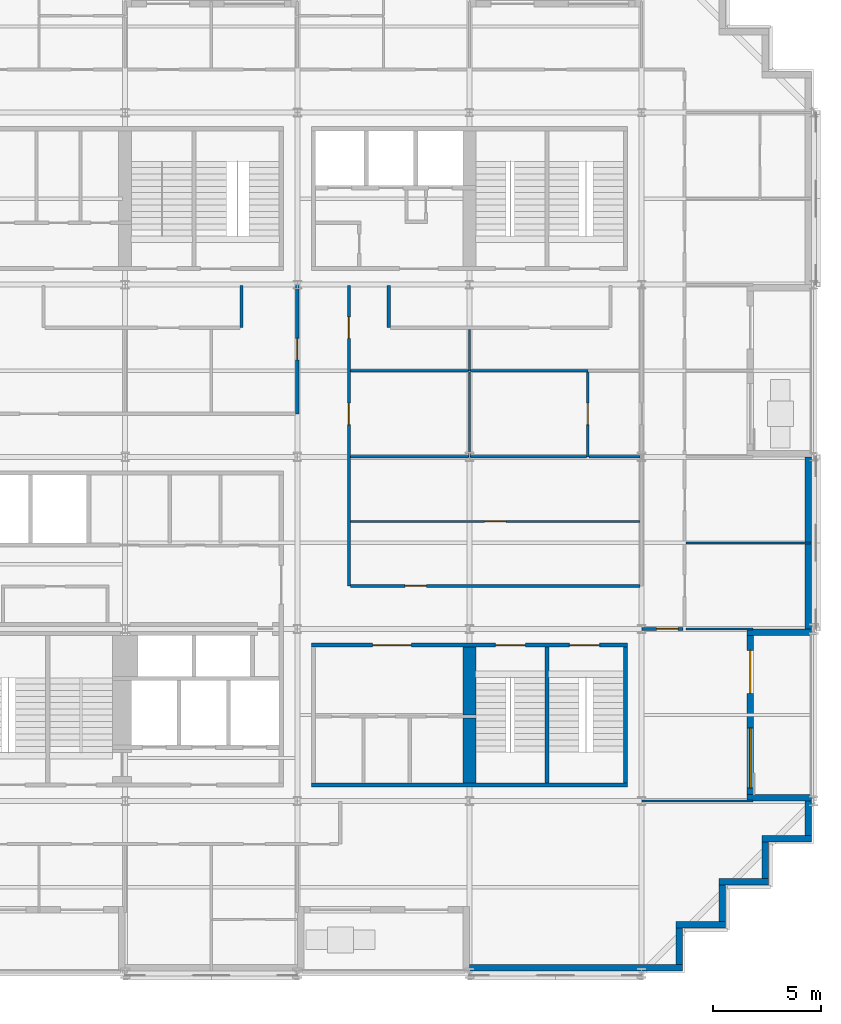
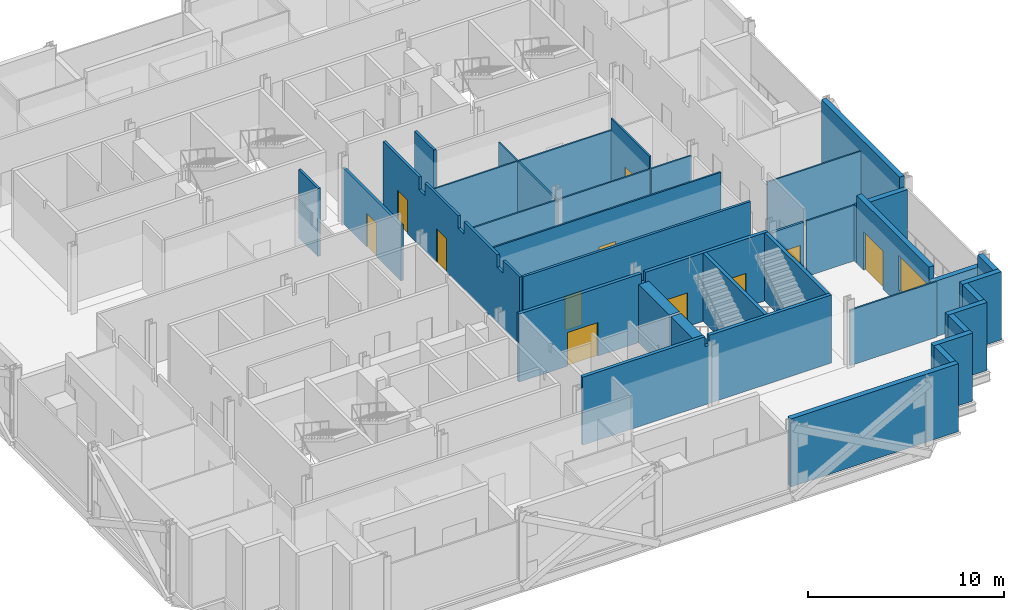
# One storey, part 8 of 15: 36 walls, 11 doors, 1 window, 12 openings.
"""IFC4 building model written with IfcOpenShell, lengths in metres."""

from ifc_helpers import new_model, si_unit, direction, frame, frame_2d, origin, place, context, subcontext, project, spatial, polyline, rectangle, outline, extrude, material, layer, layer_set, type_object, element, fill, save


model = new_model("IFC4")

# Units and contexts
model_context = context("Model", 3, precision=1e-05, world=origin(), true_north=direction((0.0, 1.0)))
body_context = subcontext(model_context, "Body", "Model", "MODEL_VIEW")
ifc_project = project(units=[si_unit("LENGTHUNIT", "METRE"), si_unit("AREAUNIT", "SQUARE_METRE"), si_unit("VOLUMEUNIT", "CUBIC_METRE"), si_unit("PLANEANGLEUNIT", "RADIAN"), si_unit("MASSUNIT", "GRAM", prefix="KILO")], contexts=[model_context])

# Site, building, storey
site_placement = place(None, origin())
site = spatial("IfcSite", under=ifc_project, at=site_placement, CompositionType="ELEMENT")
building_placement = place(site_placement, origin())
building = spatial("IfcBuilding", under=site, at=building_placement, Name="Immortelle Media Tower", CompositionType="ELEMENT")
storey_placement = place(building_placement, frame((0.0, 0.0, 70.0)))
storey = spatial("IfcBuildingStorey", under=building, at=storey_placement, Name="L12", CompositionType="ELEMENT", Elevation=70.0)

# Wall, opening, door
ifc_material_1 = material(Name="Fire-rated gypsum board", Category="gypsum")
ifc_layer_1 = layer(ifc_material_1, 0.012451171875)
ifc_material_2 = material(Name="Steel ASTM A653 SS Gr 50 stud frame with mineral wool", Category="steel")
ifc_layer_2 = layer(ifc_material_2, 0.125)
ifc_layer_3 = layer(ifc_material_1, 0.012451171875)
ifc_layer_set_1 = layer_set([ifc_layer_1, ifc_layer_2, ifc_layer_3], Name="Steel ASTM A653 SS Gr 50 stud frame with mineral wool")
wall_type_1 = type_object("IfcWallType", Name="Corridor wall 150", PredefinedType="PARTITIONING", material=ifc_layer_set_1)
wall_1_placement = place(storey_placement, frame((40.030029296875, 16.0, 0.0), z_axis=(0.0, 0.0, 1.0), x_axis=(1.0, 0.0, 0.0)))
wall_1 = element("IfcWall", 1, at=wall_1_placement, inside=storey, type_object=wall_type_1, Name="Partition L12-015", PredefinedType="PARTITIONING", context=body_context, shape_type="SweptSolid", body=[
    extrude(rectangle(XDim=1.89501953125, YDim=0.14990234375, at=frame_2d((0.947509765625, 0.0))), origin(), (0.0, 0.0, 1.0), 3.469970703125),
])
opening_1_placement = place(wall_1_placement, frame((0.669921875, 0.0, 0.0)))
opening_1 = element("IfcOpeningElement", 2, at=opening_1_placement, cuts=wall_1, Name="Opening N3-F010", PredefinedType="OPENING", context=body_context, shape_type="SweptSolid", body=[
    extrude(rectangle(XDim=1.0, YDim=2.10009765625, at=frame_2d((0.5, 1.050048828125))), frame((0.0, 0.0849609375, 0.0), z_axis=(0.0, -1.0, 0.0), x_axis=(1.0, 0.0, 0.0)), (0.0, 0.0, 1.0), 0.169921875),
])
ifc_material_3 = material(Name="Timber veneered door leaf, galvanised steel frame ASTM A653", Category="steel")
door_type_1 = type_object("IfcDoorType", Name="Room door 1000 x 2100", OperationType="NOTDEFINED", PredefinedType="DOOR", material=ifc_material_3)
door_1_placement = place(opening_1_placement, origin())
door_1 = element("IfcDoor", 3, at=door_1_placement, inside=storey, type_object=door_type_1, Name="Door N3-F010", OperationType="SINGLE_SWING_RIGHT", OverallHeight=2.10009765625, OverallWidth=1.0, PredefinedType="DOOR", context=body_context, shape_type="SweptSolid", body=[
    extrude(rectangle(XDim=1.0, YDim=2.10009765625, at=frame_2d((0.5, 1.050048828125))), frame((0.0, 0.02490234375, 0.0), z_axis=(0.0, -1.0, 0.0), x_axis=(1.0, 0.0, 0.0)), (0.0, 0.0, 1.0), 0.050048828125),
])
fill(opening_1, door_1)

wall_2_placement = place(storey_placement, frame((26.47509765625, 18.0, 0.0), z_axis=(0.0, 0.0, 1.0), x_axis=(1.0, 0.0, 0.0)))
wall_2 = element("IfcWall", 4, at=wall_2_placement, inside=storey, type_object=wall_type_1, Name="Partition L12-018", PredefinedType="PARTITIONING", context=body_context, shape_type="SweptSolid", body=[
    extrude(rectangle(XDim=13.449951171875, YDim=0.14990234375, at=frame_2d((6.72509765625, 0.0))), origin(), (0.0, 0.0, 1.0), 4.25),
])
opening_2_placement = place(wall_2_placement, frame((3.52490234375, 0.0, 0.0), z_axis=(0.0, 0.0, 1.0), x_axis=(-1.0, 0.0, 0.0)))
opening_2 = element("IfcOpeningElement", 5, at=opening_2_placement, cuts=wall_2, Name="Opening N3-F014", PredefinedType="OPENING", context=body_context, shape_type="SweptSolid", body=[
    extrude(rectangle(XDim=1.0, YDim=2.10009765625, at=frame_2d((0.5, 1.050048828125))), frame((0.0, 0.0849609375, 0.0), z_axis=(0.0, -1.0, 0.0), x_axis=(1.0, 0.0, 0.0)), (0.0, 0.0, 1.0), 0.169921875),
])
door_2_placement = place(opening_2_placement, origin())
door_2 = element("IfcDoor", 6, at=door_2_placement, inside=storey, type_object=door_type_1, Name="Door N3-F014", OperationType="SINGLE_SWING_RIGHT", OverallHeight=2.10009765625, OverallWidth=1.0, PredefinedType="DOOR", context=body_context, shape_type="SweptSolid", body=[
    extrude(rectangle(XDim=1.0, YDim=2.10009765625, at=frame_2d((0.5, 1.050048828125))), frame((0.0, 0.02490234375, 0.0), z_axis=(0.0, -1.0, 0.0), x_axis=(1.0, 0.0, 0.0)), (0.0, 0.0, 1.0), 0.050048828125),
])
fill(opening_2, door_2)

# Wall, openings, doors
wall_3_placement = place(storey_placement, frame((26.39990234375, 18.0, 0.0), z_axis=(0.0, 0.0, 1.0), x_axis=(0.0, 1.0, 0.0)))
wall_3 = element("IfcWall", 7, at=wall_3_placement, inside=storey, type_object=wall_type_1, Name="Partition L12-019", PredefinedType="PARTITIONING", context=body_context, shape_type="SweptSolid", body=[
    extrude(outline(polyline([(0.0, 0.0), (13.969970703125, 0.0), (13.969970703125, 4.25), (10.300048828125, 4.25), (10.298095703125, 3.469970703125), (9.701904296875, 3.469970703125), (9.699951171875, 4.25), (6.300048828125, 4.25), (6.298095703125, 3.469970703125), (5.701904296875, 3.469970703125), (5.699951171875, 4.25), (2.300048828125, 4.25), (2.298095703125, 3.469970703125), (1.701904296875, 3.469970703125), (1.699951171875, 4.25), (0.0, 4.25), (0.0, 0.0)])), frame((0.0, 0.074951171875, 0.0), z_axis=(0.0, -1.0, 0.0), x_axis=(1.0, 0.0, 0.0)), (0.0, 0.0, 1.0), 0.14990234375),
])
opening_3_placement = place(wall_3_placement, frame((8.5, 0.0, 0.0), z_axis=(0.0, 0.0, 1.0), x_axis=(-1.0, 0.0, 0.0)))
opening_3 = element("IfcOpeningElement", 8, at=opening_3_placement, cuts=wall_3, Name="Opening N3-F019", PredefinedType="OPENING", context=body_context, shape_type="SweptSolid", body=[
    extrude(rectangle(XDim=1.0, YDim=2.10009765625, at=frame_2d((0.5, 1.050048828125))), frame((0.0, 0.0849609375, 0.0), z_axis=(0.0, -1.0, 0.0), x_axis=(1.0, 0.0, 0.0)), (0.0, 0.0, 1.0), 0.169921875),
])
opening_4_placement = place(wall_3_placement, frame((12.5, 0.0, 0.0), z_axis=(0.0, 0.0, 1.0), x_axis=(-1.0, 0.0, 0.0)))
opening_4 = element("IfcOpeningElement", 9, at=opening_4_placement, cuts=wall_3, Name="Opening N3-F020", PredefinedType="OPENING", context=body_context, shape_type="SweptSolid", body=[
    extrude(rectangle(XDim=1.0, YDim=2.10009765625, at=frame_2d((0.5, 1.050048828125))), frame((0.0, 0.0849609375, 0.0), z_axis=(0.0, -1.0, 0.0), x_axis=(1.0, 0.0, 0.0)), (0.0, 0.0, 1.0), 0.169921875),
])
door_3_placement = place(opening_3_placement, origin())
door_3 = element("IfcDoor", 10, at=door_3_placement, inside=storey, type_object=door_type_1, Name="Door N3-F019", OperationType="SINGLE_SWING_LEFT", OverallHeight=2.10009765625, OverallWidth=1.0, PredefinedType="DOOR", context=body_context, shape_type="SweptSolid", body=[
    extrude(rectangle(XDim=1.0, YDim=2.10009765625, at=frame_2d((0.5, 1.050048828125))), frame((0.0, 0.02490234375, 0.0), z_axis=(0.0, -1.0, 0.0), x_axis=(1.0, 0.0, 0.0)), (0.0, 0.0, 1.0), 0.050048828125),
])
fill(opening_3, door_3)
door_4_placement = place(opening_4_placement, origin())
door_4 = element("IfcDoor", 11, at=door_4_placement, inside=storey, type_object=door_type_1, Name="Door N3-F020", OperationType="SINGLE_SWING_RIGHT", OverallHeight=2.10009765625, OverallWidth=1.0, PredefinedType="DOOR", context=body_context, shape_type="SweptSolid", body=[
    extrude(rectangle(XDim=1.0, YDim=2.10009765625, at=frame_2d((0.5, 1.050048828125))), frame((0.0, 0.02490234375, 0.0), z_axis=(0.0, -1.0, 0.0), x_axis=(1.0, 0.0, 0.0)), (0.0, 0.0, 1.0), 0.050048828125),
])
fill(opening_4, door_4)

# Wall, opening, door
wall_4_placement = place(storey_placement, frame((24.0, 26.0, 0.0), z_axis=(0.0, 0.0, 1.0), x_axis=(0.0, 1.0, 0.0)))
wall_4 = element("IfcWall", 12, at=wall_4_placement, inside=storey, type_object=wall_type_1, Name="Partition L12-033", PredefinedType="PARTITIONING", context=body_context, shape_type="SweptSolid", body=[
    extrude(rectangle(XDim=5.969970703125, YDim=0.14990234375, at=frame_2d((2.98486328125, 0.0))), origin(), (0.0, 0.0, 1.0), 3.469970703125),
])
opening_5_placement = place(wall_4_placement, frame((2.5, 0.0, 0.0)))
opening_5 = element("IfcOpeningElement", 13, at=opening_5_placement, cuts=wall_4, Name="Opening N3-F024", PredefinedType="OPENING", context=body_context, shape_type="SweptSolid", body=[
    extrude(rectangle(XDim=1.0, YDim=2.10009765625, at=frame_2d((0.5, 1.050048828125))), frame((0.0, 0.0849609375, 0.0), z_axis=(0.0, -1.0, 0.0), x_axis=(1.0, 0.0, 0.0)), (0.0, 0.0, 1.0), 0.169921875),
])
door_5_placement = place(opening_5_placement, origin())
door_5 = element("IfcDoor", 14, at=door_5_placement, inside=storey, type_object=door_type_1, Name="Door N3-F024", OperationType="SINGLE_SWING_RIGHT", OverallHeight=2.10009765625, OverallWidth=1.0, PredefinedType="DOOR", context=body_context, shape_type="SweptSolid", body=[
    extrude(rectangle(XDim=1.0, YDim=2.10009765625, at=frame_2d((0.5, 1.050048828125))), frame((0.0, 0.02490234375, 0.0), z_axis=(0.0, -1.0, 0.0), x_axis=(1.0, 0.0, 0.0)), (0.0, 0.0, 1.0), 0.050048828125),
])
fill(opening_5, door_5)

# Walls
for number, where, z_axis, x_axis, name in (
    (15, (21.39990234375, 30.0, 0.0), (0.0, 0.0, 1.0), (0.0, 1.0, 0.0), "Partition L12-041"),
    (16, (28.25, 30.0, 0.0), (0.0, 0.0, 1.0), (0.0, 1.0, 0.0), "Partition L12-043"),
):
    element("IfcWall", number, at=place(storey_placement, frame(where, z_axis=z_axis, x_axis=x_axis)), inside=storey, type_object=wall_type_1, Name=name, PredefinedType="PARTITIONING", context=body_context, shape_type="SweptSolid", body=[
        extrude(rectangle(XDim=1.969970703125, YDim=0.14990234375, at=frame_2d((0.98486328125, 0.0))), origin(), (0.0, 0.0, 1.0), 4.25),
    ])
ifc_material_4 = material(Name="Pale aluminium cladding panel", Category="aluminium")
ifc_layer_4 = layer(ifc_material_4, 0.030029296875)
ifc_layer_5 = layer(ifc_material_2, 0.257568359375)
ifc_material_5 = material(Name="Moisture-resistant gypsum board", Category="gypsum")
ifc_layer_6 = layer(ifc_material_5, 0.012451171875)
ifc_layer_set_2 = layer_set([ifc_layer_4, ifc_layer_5, ifc_layer_6], Name="Steel ASTM A653 SS Gr 50 stud frame with mineral wool")
wall_type_2 = type_object("IfcWallType", Name="Facade wall 300", PredefinedType="SOLIDWALL", material=ifc_layer_set_2)
wall_5_placement = place(storey_placement, frame((32.0, 0.25, 0.0), z_axis=(0.0, 0.0, 1.0), x_axis=(1.0, 0.0, 0.0)))
element("IfcWall", 17, at=wall_5_placement, inside=storey, type_object=wall_type_2, Name="Facade wall L12 S7", PredefinedType="SOLIDWALL", context=body_context, shape_type="SweptSolid", body=[
    extrude(rectangle(XDim=9.89990234375, YDim=0.300048828125, at=frame_2d((4.949951171875, 0.0))), origin(), (0.0, 0.0, 1.0), 4.25),
])
wall_6_placement = place(storey_placement, frame((41.75, 0.39990234375, 0.0), z_axis=(0.0, 0.0, 1.0), x_axis=(0.0, 1.0, 0.0)))
element("IfcWall", 18, at=wall_6_placement, inside=storey, type_object=wall_type_2, Name="Facade wall L12 E8", PredefinedType="SOLIDWALL", context=body_context, shape_type="SweptSolid", body=[
    extrude(rectangle(XDim=1.7001953125, YDim=0.300048828125, at=frame_2d((0.85009765625, 0.0))), origin(), (0.0, 0.0, 1.0), 4.25),
])
wall_7_placement = place(storey_placement, frame((41.60009765625, 2.25, 0.0), z_axis=(0.0, 0.0, 1.0), x_axis=(1.0, 0.0, 0.0)))
element("IfcWall", 19, at=wall_7_placement, inside=storey, type_object=wall_type_2, Name="Facade wall L12 S9", PredefinedType="SOLIDWALL", context=body_context, shape_type="SweptSolid", body=[
    extrude(rectangle(XDim=2.2998046875, YDim=0.300048828125, at=frame_2d((1.14990234375, 0.0))), origin(), (0.0, 0.0, 1.0), 4.25),
])
wall_8_placement = place(storey_placement, frame((43.75, 2.39990234375, 0.0), z_axis=(0.0, 0.0, 1.0), x_axis=(0.0, 1.0, 0.0)))
element("IfcWall", 20, at=wall_8_placement, inside=storey, type_object=wall_type_2, Name="Facade wall L12 E10", PredefinedType="SOLIDWALL", context=body_context, shape_type="SweptSolid", body=[
    extrude(rectangle(XDim=1.7001953125, YDim=0.300048828125, at=frame_2d((0.85009765625, 0.0))), origin(), (0.0, 0.0, 1.0), 4.25),
])
wall_9_placement = place(storey_placement, frame((43.60009765625, 4.25, 0.0), z_axis=(0.0, 0.0, 1.0), x_axis=(1.0, 0.0, 0.0)))
element("IfcWall", 21, at=wall_9_placement, inside=storey, type_object=wall_type_2, Name="Facade wall L12 S11", PredefinedType="SOLIDWALL", context=body_context, shape_type="SweptSolid", body=[
    extrude(rectangle(XDim=2.2998046875, YDim=0.300048828125, at=frame_2d((1.14990234375, 0.0))), origin(), (0.0, 0.0, 1.0), 4.25),
])
wall_10_placement = place(storey_placement, frame((45.75, 4.39990234375, 0.0), z_axis=(0.0, 0.0, 1.0), x_axis=(0.0, 1.0, 0.0)))
element("IfcWall", 22, at=wall_10_placement, inside=storey, type_object=wall_type_2, Name="Facade wall L12 E12", PredefinedType="SOLIDWALL", context=body_context, shape_type="SweptSolid", body=[
    extrude(rectangle(XDim=1.7001953125, YDim=0.300048828125, at=frame_2d((0.85009765625, 0.0))), origin(), (0.0, 0.0, 1.0), 4.25),
])
wall_11_placement = place(storey_placement, frame((45.60009765625, 6.25, 0.0), z_axis=(0.0, 0.0, 1.0), x_axis=(1.0, 0.0, 0.0)))
element("IfcWall", 23, at=wall_11_placement, inside=storey, type_object=wall_type_2, Name="Facade wall L12 S13", PredefinedType="SOLIDWALL", context=body_context, shape_type="SweptSolid", body=[
    extrude(rectangle(XDim=2.2998046875, YDim=0.300048828125, at=frame_2d((1.14990234375, 0.0))), origin(), (0.0, 0.0, 1.0), 4.25),
])
wall_12_placement = place(storey_placement, frame((47.75, 6.39990234375, 0.0), z_axis=(0.0, 0.0, 1.0), x_axis=(0.0, 1.0, 0.0)))
element("IfcWall", 24, at=wall_12_placement, inside=storey, type_object=wall_type_2, Name="Facade wall L12 E14", PredefinedType="SOLIDWALL", context=body_context, shape_type="SweptSolid", body=[
    extrude(rectangle(XDim=1.60009765625, YDim=0.300048828125, at=frame_2d((0.800048828125, 0.0))), origin(), (0.0, 0.0, 1.0), 4.25),
])

# Wall, openings, door, window
wall_13_placement = place(storey_placement, frame((45.050048828125, 8.300048828125, 0.0), z_axis=(0.0, 0.0, 1.0), x_axis=(0.0, 1.0, 0.0)))
wall_13 = element("IfcWall", 25, at=wall_13_placement, inside=storey, type_object=wall_type_2, Name="Loggia wall L12 E14", PredefinedType="SOLIDWALL", context=body_context, shape_type="SweptSolid", body=[
    extrude(rectangle(XDim=7.39990234375, YDim=0.300048828125, at=frame_2d((3.699951171875, 0.0))), origin(), (0.0, 0.0, 1.0), 4.25),
])
opening_6_placement = place(wall_13_placement, frame((0.300048828125, 0.0, 0.89990234375)))
opening_6 = element("IfcOpeningElement", 26, at=opening_6_placement, cuts=wall_13, Name="Opening W1", PredefinedType="OPENING", context=body_context, shape_type="SweptSolid", body=[
    extrude(rectangle(XDim=2.800048828125, YDim=2.199951171875, at=frame_2d((1.39990234375, 1.10009765625))), frame((0.0, 0.159912109375, 0.0), z_axis=(0.0, -1.0, 0.0), x_axis=(1.0, 0.0, 0.0)), (0.0, 0.0, 1.0), 0.320068359375),
])
opening_7_placement = place(wall_13_placement, frame((4.699951171875, 0.0, 0.0)))
opening_7 = element("IfcOpeningElement", 27, at=opening_7_placement, cuts=wall_13, Name="Opening N3-E005", PredefinedType="OPENING", context=body_context, shape_type="SweptSolid", body=[
    extrude(rectangle(XDim=2.0, YDim=2.39990234375, at=frame_2d((1.0, 1.199951171875))), frame((0.0, 0.159912109375, 0.0), z_axis=(0.0, -1.0, 0.0), x_axis=(1.0, 0.0, 0.0)), (0.0, 0.0, 1.0), 0.320068359375),
])
ifc_material_6 = material(Name="Aluminium frame, glazed leaves", Category="aluminium")
door_type_2 = type_object("IfcDoorType", Name="Loggia door 2000 x 2400", OperationType="DOUBLE_DOOR_SINGLE_SWING", PredefinedType="DOOR", material=ifc_material_6)
door_6_placement = place(opening_7_placement, origin())
door_6 = element("IfcDoor", 28, at=door_6_placement, inside=storey, type_object=door_type_2, Name="Door N3-E005", OperationType="DOUBLE_DOOR_SINGLE_SWING", OverallHeight=2.39990234375, OverallWidth=2.0, PredefinedType="DOOR", context=body_context, shape_type="SweptSolid", body=[
    extrude(rectangle(XDim=2.0, YDim=2.39990234375, at=frame_2d((1.0, 1.199951171875))), frame((0.0, 0.02490234375, 0.0), z_axis=(0.0, -1.0, 0.0), x_axis=(1.0, 0.0, 0.0)), (0.0, 0.0, 1.0), 0.050048828125),
])
fill(opening_7, door_6)
ifc_material_7 = material(Name="Aluminium frame", Category="aluminium")
window_type = type_object("IfcWindowType", Name="Window 2800 x 2200", PartitioningType="SINGLE_PANEL", PredefinedType="WINDOW", material=ifc_material_7)
window_placement = place(opening_6_placement, origin())
window = element("IfcWindow", 29, at=window_placement, inside=storey, type_object=window_type, Name="Window L12 L12-R14-B0", OverallHeight=2.199951171875, OverallWidth=2.800048828125, PartitioningType="SINGLE_PANEL", PredefinedType="WINDOW", context=body_context, shape_type="SweptSolid", body=[
    extrude(rectangle(XDim=2.800048828125, YDim=2.199951171875, at=frame_2d((1.39990234375, 1.10009765625))), frame((0.0, 0.030029296875, 0.0), z_axis=(0.0, -1.0, 0.0), x_axis=(1.0, 0.0, 0.0)), (0.0, 0.0, 1.0), 0.06005859375),
])
fill(opening_6, window)

# Walls
wall_14_placement = place(storey_placement, frame((47.89990234375, 8.14990234375, 0.0), z_axis=(0.0, 0.0, 1.0), x_axis=(-1.0, 0.0, 0.0)))
element("IfcWall", 30, at=wall_14_placement, inside=storey, type_object=wall_type_2, Name="Loggia cheek wall L12 E", PredefinedType="SOLIDWALL", context=body_context, shape_type="SweptSolid", body=[
    extrude(rectangle(XDim=3.0, YDim=0.300048828125, at=frame_2d((1.5, 0.0))), origin(), (0.0, 0.0, 1.0), 3.468994140625),
])
wall_15_placement = place(storey_placement, frame((47.89990234375, 15.85009765625, 0.0), z_axis=(0.0, 0.0, 1.0), x_axis=(-1.0, 0.0, 0.0)))
element("IfcWall", 31, at=wall_15_placement, inside=storey, type_object=wall_type_2, Name="Loggia cheek wall L12 E", PredefinedType="SOLIDWALL", context=body_context, shape_type="SweptSolid", body=[
    extrude(rectangle(XDim=3.0, YDim=0.300048828125, at=frame_2d((1.5, 0.0))), origin(), (0.0, 0.0, 1.0), 3.555908203125),
])
wall_16_placement = place(storey_placement, frame((47.75, 16.0, 0.0), z_axis=(0.0, 0.0, 1.0), x_axis=(0.0, 1.0, 0.0)))
element("IfcWall", 32, at=wall_16_placement, inside=storey, type_object=wall_type_2, Name="Facade wall L12 E14", PredefinedType="SOLIDWALL", context=body_context, shape_type="SweptSolid", body=[
    extrude(rectangle(XDim=8.0, YDim=0.300048828125, at=frame_2d((4.0, 0.0))), origin(), (0.0, 0.0, 1.0), 4.25),
])
ifc_material_8 = material(Name="Gypsum board", Category="gypsum")
ifc_layer_7 = layer(ifc_material_8, 0.012451171875)
ifc_layer_8 = layer(ifc_material_2, 0.074951171875)
ifc_layer_9 = layer(ifc_material_8, 0.012451171875)
ifc_layer_set_3 = layer_set([ifc_layer_7, ifc_layer_8, ifc_layer_9], Name="Steel ASTM A653 SS Gr 50 stud frame with mineral wool")
wall_type_3 = type_object("IfcWallType", Name="Partition 100", PredefinedType="PARTITIONING", material=ifc_layer_set_3)
wall_17_placement = place(storey_placement, frame((40.030029296875, 8.0, 0.0), z_axis=(0.0, 0.0, 1.0), x_axis=(1.0, 0.0, 0.0)))
element("IfcWall", 33, at=wall_17_placement, inside=storey, type_object=wall_type_3, Name="Partition L12-012", PredefinedType="PARTITIONING", context=body_context, shape_type="SweptSolid", body=[
    extrude(rectangle(XDim=5.139892578125, YDim=0.10009765625, at=frame_2d((2.56982421875, 0.0))), origin(), (0.0, 0.0, 1.0), 3.469970703125),
])
wall_18_placement = place(storey_placement, frame((42.074951171875, 16.0, 0.0), z_axis=(0.0, 0.0, 1.0), x_axis=(1.0, 0.0, 0.0)))
element("IfcWall", 34, at=wall_18_placement, inside=storey, type_object=wall_type_3, Name="Partition L12-016", PredefinedType="PARTITIONING", context=body_context, shape_type="SweptSolid", body=[
    extrude(rectangle(XDim=3.094970703125, YDim=0.10009765625, at=frame_2d((1.54736328125, 0.0))), origin(), (0.0, 0.0, 1.0), 3.469970703125),
])
wall_19_placement = place(storey_placement, frame((42.074951171875, 20.0, 0.0), z_axis=(0.0, 0.0, 1.0), x_axis=(1.0, 0.0, 0.0)))
element("IfcWall", 35, at=wall_19_placement, inside=storey, type_object=wall_type_3, Name="Partition L12-021", PredefinedType="PARTITIONING", context=body_context, shape_type="SweptSolid", body=[
    extrude(rectangle(XDim=5.795166015625, YDim=0.10009765625, at=frame_2d((2.8974609375, 0.0))), origin(), (0.0, 0.0, 1.0), 3.469970703125),
])

# Wall, opening, door
wall_20_placement = place(storey_placement, frame((26.47509765625, 21.0, 0.0), z_axis=(0.0, 0.0, 1.0), x_axis=(1.0, 0.0, 0.0)))
wall_20 = element("IfcWall", 36, at=wall_20_placement, inside=storey, type_object=wall_type_3, Name="Partition L12-022", PredefinedType="PARTITIONING", context=body_context, shape_type="SweptSolid", body=[
    extrude(rectangle(XDim=13.449951171875, YDim=0.10009765625, at=frame_2d((6.72509765625, 0.0))), origin(), (0.0, 0.0, 1.0), 4.25),
])
opening_8_placement = place(wall_20_placement, frame((7.22509765625, 0.0, 0.0), z_axis=(0.0, 0.0, 1.0), x_axis=(-1.0, 0.0, 0.0)))
opening_8 = element("IfcOpeningElement", 37, at=opening_8_placement, cuts=wall_20, Name="Opening N3-F015", PredefinedType="OPENING", context=body_context, shape_type="SweptSolid", body=[
    extrude(rectangle(XDim=1.0, YDim=2.10009765625, at=frame_2d((0.5, 1.050048828125))), frame((0.0, 0.06005859375, 0.0), z_axis=(0.0, -1.0, 0.0), x_axis=(1.0, 0.0, 0.0)), (0.0, 0.0, 1.0), 0.1201171875),
])
door_7_placement = place(opening_8_placement, origin())
door_7 = element("IfcDoor", 38, at=door_7_placement, inside=storey, type_object=door_type_1, Name="Door N3-F015", OperationType="SINGLE_SWING_RIGHT", OverallHeight=2.10009765625, OverallWidth=1.0, PredefinedType="DOOR", context=body_context, shape_type="SweptSolid", body=[
    extrude(rectangle(XDim=1.0, YDim=2.10009765625, at=frame_2d((0.5, 1.050048828125))), frame((0.0, 0.02490234375, 0.0), z_axis=(0.0, -1.0, 0.0), x_axis=(1.0, 0.0, 0.0)), (0.0, 0.0, 1.0), 0.050048828125),
])
fill(opening_8, door_7)

# Walls
wall_21_placement = place(storey_placement, frame((26.47509765625, 24.0, 0.0), z_axis=(0.0, 0.0, 1.0), x_axis=(1.0, 0.0, 0.0)))
element("IfcWall", 39, at=wall_21_placement, inside=storey, type_object=wall_type_3, Name="Partition L12-024", PredefinedType="PARTITIONING", context=body_context, shape_type="SweptSolid", body=[
    extrude(rectangle(XDim=5.474853515625, YDim=0.10009765625, at=frame_2d((2.7373046875, 0.0))), origin(), (0.0, 0.0, 1.0), 3.469970703125),
])
wall_22_placement = place(storey_placement, frame((32.050048828125, 24.0, 0.0), z_axis=(0.0, 0.0, 1.0), x_axis=(1.0, 0.0, 0.0)))
element("IfcWall", 40, at=wall_22_placement, inside=storey, type_object=wall_type_3, Name="Partition L12-025", PredefinedType="PARTITIONING", context=body_context, shape_type="SweptSolid", body=[
    extrude(rectangle(XDim=5.39990234375, YDim=0.10009765625, at=frame_2d((2.699951171875, 0.0))), origin(), (0.0, 0.0, 1.0), 3.469970703125),
])
wall_23_placement = place(storey_placement, frame((32.0, 24.0, 0.0), z_axis=(0.0, 0.0, 1.0), x_axis=(0.0, 1.0, 0.0)))
element("IfcWall", 41, at=wall_23_placement, inside=storey, type_object=wall_type_3, Name="Partition L12-026", PredefinedType="PARTITIONING", context=body_context, shape_type="SweptSolid", body=[
    extrude(rectangle(XDim=3.949951171875, YDim=0.10009765625, at=frame_2d((1.97509765625, 0.0))), origin(), (0.0, 0.0, 1.0), 3.469970703125),
])
wall_24_placement = place(storey_placement, frame((37.550048828125, 24.0, 0.0), z_axis=(0.0, 0.0, 1.0), x_axis=(1.0, 0.0, 0.0)))
element("IfcWall", 42, at=wall_24_placement, inside=storey, type_object=wall_type_3, Name="Partition L12-027", PredefinedType="PARTITIONING", context=body_context, shape_type="SweptSolid", body=[
    extrude(rectangle(XDim=2.375, YDim=0.10009765625, at=frame_2d((1.1875, 0.0))), origin(), (0.0, 0.0, 1.0), 3.469970703125),
])

# Wall, opening, door
wall_25_placement = place(storey_placement, frame((37.5, 24.0, 0.0), z_axis=(0.0, 0.0, 1.0), x_axis=(0.0, 1.0, 0.0)))
wall_25 = element("IfcWall", 43, at=wall_25_placement, inside=storey, type_object=wall_type_3, Name="Partition L12-028", PredefinedType="PARTITIONING", context=body_context, shape_type="SweptSolid", body=[
    extrude(rectangle(XDim=3.949951171875, YDim=0.10009765625, at=frame_2d((1.97509765625, 0.0))), origin(), (0.0, 0.0, 1.0), 4.25),
])
opening_9_placement = place(wall_25_placement, frame((2.5, 0.0, 0.0), z_axis=(0.0, 0.0, 1.0), x_axis=(-1.0, 0.0, 0.0)))
opening_9 = element("IfcOpeningElement", 44, at=opening_9_placement, cuts=wall_25, Name="Opening N3-F017", PredefinedType="OPENING", context=body_context, shape_type="SweptSolid", body=[
    extrude(rectangle(XDim=1.0, YDim=2.10009765625, at=frame_2d((0.5, 1.050048828125))), frame((0.0, 0.06005859375, 0.0), z_axis=(0.0, -1.0, 0.0), x_axis=(1.0, 0.0, 0.0)), (0.0, 0.0, 1.0), 0.1201171875),
])
door_8_placement = place(opening_9_placement, origin())
door_8 = element("IfcDoor", 45, at=door_8_placement, inside=storey, type_object=door_type_1, Name="Door N3-F017", OperationType="SINGLE_SWING_RIGHT", OverallHeight=2.10009765625, OverallWidth=1.0, PredefinedType="DOOR", context=body_context, shape_type="SweptSolid", body=[
    extrude(rectangle(XDim=1.0, YDim=2.10009765625, at=frame_2d((0.5, 1.050048828125))), frame((0.0, 0.02490234375, 0.0), z_axis=(0.0, -1.0, 0.0), x_axis=(1.0, 0.0, 0.0)), (0.0, 0.0, 1.0), 0.050048828125),
])
fill(opening_9, door_8)

# Walls
wall_26_placement = place(storey_placement, frame((26.47509765625, 28.0, 0.0), z_axis=(0.0, 0.0, 1.0), x_axis=(1.0, 0.0, 0.0)))
element("IfcWall", 46, at=wall_26_placement, inside=storey, type_object=wall_type_3, Name="Partition L12-034", PredefinedType="PARTITIONING", context=body_context, shape_type="SweptSolid", body=[
    extrude(rectangle(XDim=5.474853515625, YDim=0.10009765625, at=frame_2d((2.7373046875, 0.0))), origin(), (0.0, 0.0, 1.0), 3.469970703125),
])
wall_27_placement = place(storey_placement, frame((32.050048828125, 28.0, 0.0), z_axis=(0.0, 0.0, 1.0), x_axis=(1.0, 0.0, 0.0)))
element("IfcWall", 47, at=wall_27_placement, inside=storey, type_object=wall_type_3, Name="Partition L12-035", PredefinedType="PARTITIONING", context=body_context, shape_type="SweptSolid", body=[
    extrude(rectangle(XDim=5.449951171875, YDim=0.10009765625, at=frame_2d((2.72509765625, 0.0))), origin(), (0.0, 0.0, 1.0), 3.469970703125),
])
wall_28_placement = place(storey_placement, frame((32.0, 28.0, 0.0), z_axis=(0.0, 0.0, 1.0), x_axis=(0.0, 1.0, 0.0)))
element("IfcWall", 48, at=wall_28_placement, inside=storey, type_object=wall_type_3, Name="Partition L12-036", PredefinedType="PARTITIONING", context=body_context, shape_type="SweptSolid", body=[
    extrude(rectangle(XDim=1.925048828125, YDim=0.10009765625, at=frame_2d((0.96240234375, 0.0))), origin(), (0.0, 0.0, 1.0), 3.469970703125),
])
ifc_material_9 = material(Name="Concrete C60", Category="concrete")
ifc_layer_10 = layer(ifc_material_9, 0.199951171875)
ifc_layer_set_4 = layer_set([ifc_layer_10], Name="Concrete C60")
wall_type_4 = type_object("IfcWallType", Name="Stair shaft wall 200", PredefinedType="PARTITIONING", material=ifc_layer_set_4)
wall_29_placement = place(storey_placement, frame((24.64990234375, 8.75, 0.0), z_axis=(0.0, 0.0, 1.0), x_axis=(1.0, 0.0, 0.0)))
element("IfcWall", 49, at=wall_29_placement, inside=storey, type_object=wall_type_4, Name="Stair shaft wall SE", PredefinedType="PARTITIONING", context=body_context, shape_type="SweptSolid", body=[
    extrude(outline(polyline([(0.0, 0.0), (14.7001953125, 0.0), (14.699951171875, 4.25), (7.469482421875, 4.25), (7.468505859375, 3.632080078125), (7.2314453125, 3.632080078125), (7.23046875, 4.25), (0.0, 4.25), (0.0, 0.0)])), frame((0.0, 0.10009765625, 0.0), z_axis=(0.0, -1.0, 0.0), x_axis=(1.0, 0.0, 0.0)), (0.0, 0.0, 1.0), 0.199951171875),
])

# Wall, openings, doors
wall_30_placement = place(storey_placement, frame((24.64990234375, 15.25, 0.0), z_axis=(0.0, 0.0, 1.0), x_axis=(1.0, 0.0, 0.0)))
wall_30 = element("IfcWall", 50, at=wall_30_placement, inside=storey, type_object=wall_type_4, Name="Stair shaft wall SE", PredefinedType="PARTITIONING", context=body_context, shape_type="SweptSolid", body=[
    extrude(outline(polyline([(0.0, 0.0), (14.7001953125, 0.0), (14.699951171875, 4.25), (7.469482421875, 4.25), (7.468505859375, 3.632080078125), (7.2314453125, 3.632080078125), (7.23046875, 4.25), (0.0, 4.25), (0.0, 0.0)])), frame((0.0, 0.10009765625, 0.0), z_axis=(0.0, -1.0, 0.0), x_axis=(1.0, 0.0, 0.0)), (0.0, 0.0, 1.0), 0.199951171875),
])
opening_10_placement = place(wall_30_placement, frame((2.85009765625, 0.0, 0.0)))
opening_10 = element("IfcOpeningElement", 51, at=opening_10_placement, cuts=wall_30, Name="Opening N3-K016", PredefinedType="OPENING", context=body_context, shape_type="SweptSolid", body=[
    extrude(rectangle(XDim=1.800048828125, YDim=2.10009765625, at=frame_2d((0.89990234375, 1.050048828125))), frame((0.0, 0.10986328125, 0.0), z_axis=(0.0, -1.0, 0.0), x_axis=(1.0, 0.0, 0.0)), (0.0, 0.0, 1.0), 0.219970703125),
])
opening_11_placement = place(wall_30_placement, frame((9.949951171875, 0.0, 0.0), z_axis=(0.0, 0.0, 1.0), x_axis=(-1.0, 0.0, 0.0)))
opening_11 = element("IfcOpeningElement", 52, at=opening_11_placement, cuts=wall_30, Name="Opening N3-K019", PredefinedType="OPENING", context=body_context, shape_type="SweptSolid", body=[
    extrude(rectangle(XDim=1.39990234375, YDim=2.10009765625, at=frame_2d((0.699951171875, 1.050048828125))), frame((0.0, 0.10986328125, 0.0), z_axis=(0.0, -1.0, 0.0), x_axis=(1.0, 0.0, 0.0)), (0.0, 0.0, 1.0), 0.219970703125),
])
opening_12_placement = place(wall_30_placement, frame((13.39990234375, 0.0, 0.0), z_axis=(0.0, 0.0, 1.0), x_axis=(-1.0, 0.0, 0.0)))
opening_12 = element("IfcOpeningElement", 53, at=opening_12_placement, cuts=wall_30, Name="Opening N3-K020", PredefinedType="OPENING", context=body_context, shape_type="SweptSolid", body=[
    extrude(rectangle(XDim=1.39990234375, YDim=2.10009765625, at=frame_2d((0.699951171875, 1.050048828125))), frame((0.0, 0.10986328125, 0.0), z_axis=(0.0, -1.0, 0.0), x_axis=(1.0, 0.0, 0.0)), (0.0, 0.0, 1.0), 0.219970703125),
])
ifc_material_10 = material(Name="Galvanised steel door leaf and frame ASTM A653", Category="steel")
door_type_3 = type_object("IfcDoorType", Name="Lift lobby door 1800 x 2100", OperationType="DOUBLE_DOOR_SINGLE_SWING", PredefinedType="NOTDEFINED", material=ifc_material_10)
door_9_placement = place(opening_10_placement, origin())
door_9 = element("IfcDoor", 54, at=door_9_placement, inside=storey, type_object=door_type_3, Name="Lift lobby N3-K016", OperationType="DOUBLE_DOOR_SINGLE_SWING", OverallHeight=2.10009765625, OverallWidth=1.800048828125, PredefinedType="NOTDEFINED", context=body_context, shape_type="SweptSolid", body=[
    extrude(rectangle(XDim=1.800048828125, YDim=2.10009765625, at=frame_2d((0.89990234375, 1.050048828125))), frame((0.0, 0.02490234375, 0.0), z_axis=(0.0, -1.0, 0.0), x_axis=(1.0, 0.0, 0.0)), (0.0, 0.0, 1.0), 0.050048828125),
])
fill(opening_10, door_9)
door_type_4 = type_object("IfcDoorType", Name="Stair door 1400 x 2100", OperationType="DOUBLE_DOOR_SINGLE_SWING", PredefinedType="NOTDEFINED", material=ifc_material_10)
door_10_placement = place(opening_11_placement, origin())
door_10 = element("IfcDoor", 55, at=door_10_placement, inside=storey, type_object=door_type_4, Name="Stair N3-K019", OperationType="DOUBLE_DOOR_SINGLE_SWING", OverallHeight=2.10009765625, OverallWidth=1.39990234375, PredefinedType="NOTDEFINED", context=body_context, shape_type="SweptSolid", body=[
    extrude(rectangle(XDim=1.39990234375, YDim=2.10009765625, at=frame_2d((0.699951171875, 1.050048828125))), frame((0.0, 0.02490234375, 0.0), z_axis=(0.0, -1.0, 0.0), x_axis=(1.0, 0.0, 0.0)), (0.0, 0.0, 1.0), 0.050048828125),
])
fill(opening_11, door_10)
door_11_placement = place(opening_12_placement, origin())
door_11 = element("IfcDoor", 56, at=door_11_placement, inside=storey, type_object=door_type_4, Name="Stair N3-K020", OperationType="DOUBLE_DOOR_SINGLE_SWING", OverallHeight=2.10009765625, OverallWidth=1.39990234375, PredefinedType="NOTDEFINED", context=body_context, shape_type="SweptSolid", body=[
    extrude(rectangle(XDim=1.39990234375, YDim=2.10009765625, at=frame_2d((0.699951171875, 1.050048828125))), frame((0.0, 0.02490234375, 0.0), z_axis=(0.0, -1.0, 0.0), x_axis=(1.0, 0.0, 0.0)), (0.0, 0.0, 1.0), 0.050048828125),
])
fill(opening_12, door_11)

# Walls
for number, where, z_axis, x_axis, name in (
    (57, (35.60009765625, 8.85009765625, 0.0), (0.0, 0.0, 1.0), (0.0, 1.0, 0.0), "Stair shaft wall SE"),
    (58, (39.25, 8.85009765625, 0.0), (0.0, 0.0, 1.0), (0.0, 1.0, 0.0), "Stair shaft wall SE"),
):
    element("IfcWall", number, at=place(storey_placement, frame(where, z_axis=z_axis, x_axis=x_axis)), inside=storey, type_object=wall_type_4, Name=name, PredefinedType="PARTITIONING", context=body_context, shape_type="SweptSolid", body=[
        extrude(rectangle(XDim=6.2998046875, YDim=0.199951171875, at=frame_2d((3.14990234375, 0.0))), origin(), (0.0, 0.0, 1.0), 4.25),
    ])
ifc_layer_11 = layer(ifc_material_9, 0.60009765625)
ifc_layer_set_5 = layer_set([ifc_layer_11], Name="Concrete C60")
wall_type_5 = type_object("IfcWallType", Name="Stair shaft wall 600", PredefinedType="PARTITIONING", material=ifc_layer_set_5)
wall_31_placement = place(storey_placement, frame((32.0, 8.85009765625, 0.0), z_axis=(0.0, 0.0, 1.0), x_axis=(0.0, 1.0, 0.0)))
element("IfcWall", 59, at=wall_31_placement, inside=storey, type_object=wall_type_5, Name="Stair shaft wall SE", PredefinedType="PARTITIONING", context=body_context, shape_type="SweptSolid", body=[
    extrude(rectangle(XDim=3.0, YDim=0.60009765625, at=frame_2d((1.5, 0.0))), origin(), (0.0, 0.0, 1.0), 3.632080078125),
])
wall_32_placement = place(storey_placement, frame((32.0, 12.0, 0.0), z_axis=(0.0, 0.0, 1.0), x_axis=(0.0, 1.0, 0.0)))
element("IfcWall", 60, at=wall_32_placement, inside=storey, type_object=wall_type_5, Name="Stair shaft wall SE", PredefinedType="PARTITIONING", context=body_context, shape_type="SweptSolid", body=[
    extrude(rectangle(XDim=3.14990234375, YDim=0.60009765625, at=frame_2d((1.574951171875, 0.0))), origin(), (0.0, 0.0, 1.0), 3.632080078125),
])

save(model, "model.ifc")
